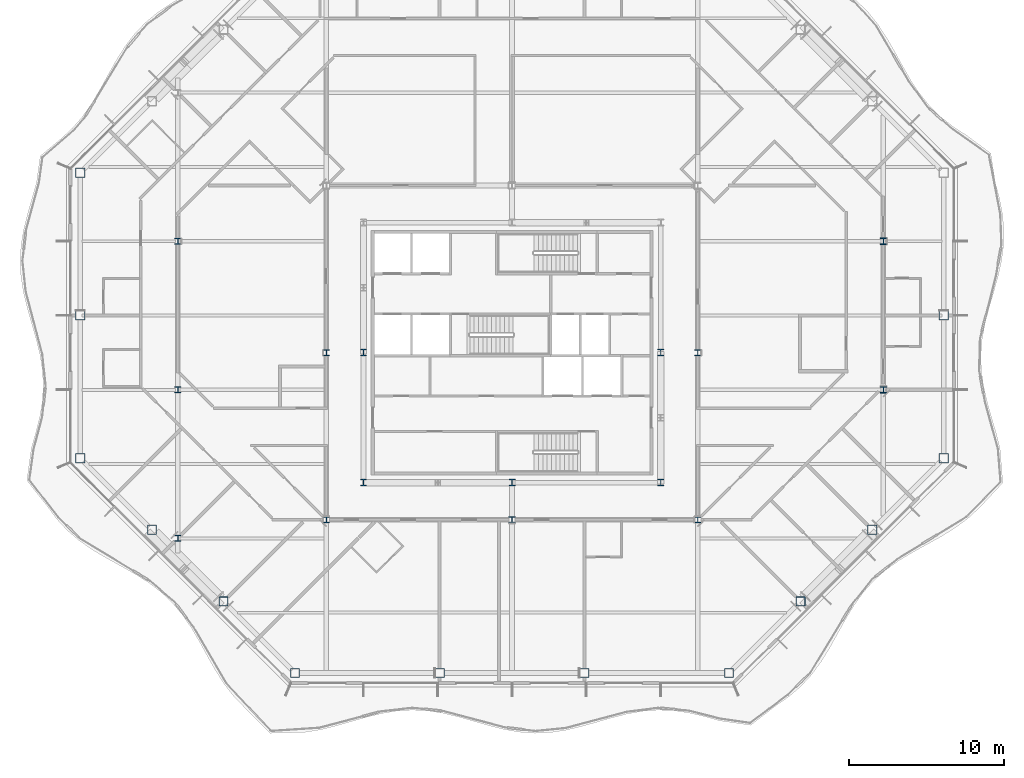
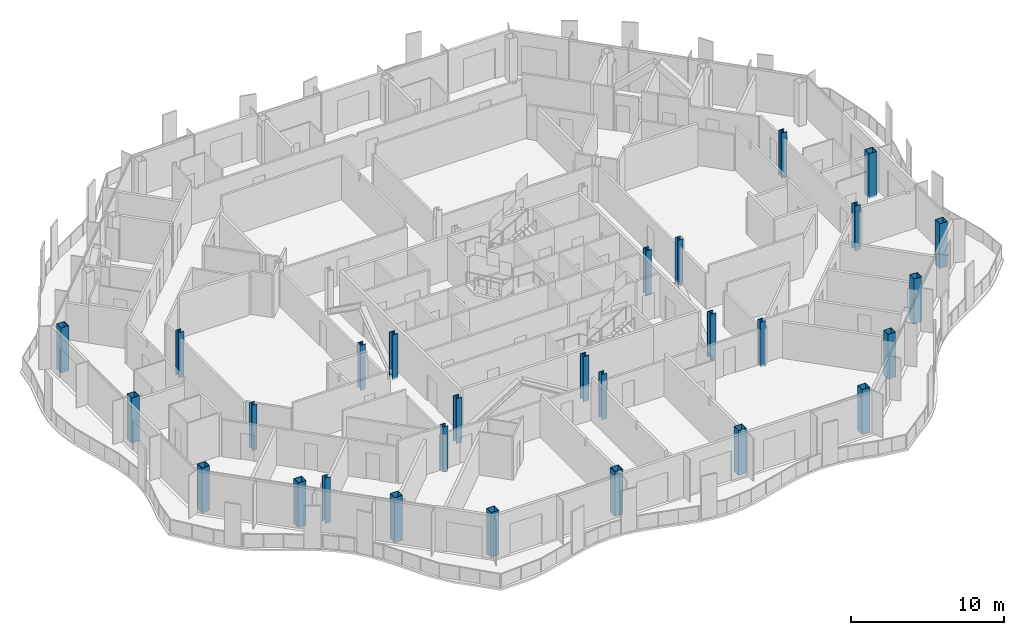
# One storey, part 1 of 21: 28 columns.
"""IFC4 building model written with IfcOpenShell, lengths in metres."""

from ifc_helpers import new_model, si_unit, direction, frame, origin, origin_2d, place, context, subcontext, project, spatial, hollow_rectangle, i_section, extrude, clip, halfspace, material, material_profile, profile_set, type_object, element, save


model = new_model("IFC4")

# Units and contexts
model_context = context("Model", 3, precision=1e-05, world=origin(), true_north=direction((0.0, 1.0)))
body_context = subcontext(model_context, "Body", "Model", "MODEL_VIEW")
ifc_project = project(units=[si_unit("LENGTHUNIT", "METRE"), si_unit("AREAUNIT", "SQUARE_METRE"), si_unit("VOLUMEUNIT", "CUBIC_METRE"), si_unit("PLANEANGLEUNIT", "RADIAN"), si_unit("MASSUNIT", "GRAM", prefix="KILO")], contexts=[model_context])

# Site, building, storey
site_placement = place(None, origin())
site = spatial("IfcSite", under=ifc_project, at=site_placement, CompositionType="ELEMENT")
building_placement = place(site_placement, origin())
building = spatial("IfcBuilding", under=site, at=building_placement, Name="Cairn Pilgrim Tower", CompositionType="ELEMENT")
storey_placement = place(building_placement, frame((0.0, 0.0, 168.60009765625)))
storey = spatial("IfcBuildingStorey", under=building, at=storey_placement, Name="L42", CompositionType="ELEMENT", Elevation=168.60009765625)

# Columns
ifc_material_1 = material(Name="Structural steel S460M", Category="steel")
ifc_material_profile_1 = material_profile(ifc_material_1, hollow_rectangle(XDim=0.60009765625, YDim=0.60009765625, WallThickness=0.034912109375, at=origin_2d()), Name="BOX 600x600x35")
ifc_profile_set_1 = profile_set([ifc_material_profile_1], Name="Structural steel S460M")
column_type_1 = type_object("IfcColumnType", Name="BOX 600x600x35", PredefinedType="COLUMN", material=ifc_profile_set_1)
for number, where, z_axis, x_axis, name in (
    (1, (-6.8271484375, -18.300048828125, -0.150146484375), (0.0, 0.0, 1.0), (1.0, 0.0, 0.0), "PC2-S1"),
    (2, (2.5244140625, -18.300048828125, -0.150146484375), (0.0, 0.0, 1.0), (1.0, 0.0, 0.0), "PC2-S2"),
    (3, (11.875732421875, -18.300048828125, -0.150146484375), (0.0, 0.0, 1.0), (1.0, 0.0, 0.0), "PC2-S3"),
    (4, (21.227294921875, -18.300048828125, -0.150146484375), (0.0, 0.0, 1.0), (1.0, 0.0, 0.0), "PC2-SE1"),
    (5, (25.8515625, -13.67578125, -0.150146484375), (0.0, 0.0, 1.0), (1.0, 0.0, 0.0), "PC2-SE2"),
    (6, (30.4755859375, -9.051513671875, -0.150146484375), (0.0, 0.0, 1.0), (1.0, 0.0, 0.0), "PC2-SE3"),
    (7, (35.10009765625, -4.42724609375, -0.150146484375), (0.0, 0.0, 1.0), (1.0, 0.0, 0.0), "PC2-E1"),
    (8, (35.10009765625, 4.800048828125, -0.150146484375), (0.0, 0.0, 1.0), (1.0, 0.0, 0.0), "PC2-E2"),
    (9, (-20.699951171875, 14.027099609375, -0.150146484375), (0.0, 0.0, 1.0), (1.0, 0.0, 0.0), "PC2-W1"),
    (10, (-20.699951171875, 4.800048828125, -0.150146484375), (0.0, 0.0, 1.0), (1.0, 0.0, 0.0), "PC2-W2"),
    (11, (-20.699951171875, -4.42724609375, -0.150146484375), (0.0, 0.0, 1.0), (1.0, 0.0, 0.0), "PC2-SW1"),
    (12, (-16.07568359375, -9.051513671875, -0.150146484375), (0.0, 0.0, 1.0), (1.0, 0.0, 0.0), "PC2-SW2"),
    (13, (-11.451416015625, -13.67578125, -0.150146484375), (0.0, 0.0, 1.0), (1.0, 0.0, 0.0), "PC2-SW3"),
):
    element("IfcColumn", number, at=place(storey_placement, frame(where, z_axis=z_axis, x_axis=x_axis)), inside=storey, type_object=column_type_1, Name=name, PredefinedType="COLUMN", context=body_context, shape_type="Clipping", body=[
        clip(extrude(hollow_rectangle(XDim=0.60009765625, YDim=0.60009765625, WallThickness=0.034912109375, at=origin_2d()), origin(), (0.0, 0.0, 1.0), 3.60009765625), halfspace(frame((0.0, 0.0, 3.5888671875), z_axis=(0.0, 0.0, 1.0), x_axis=(1.0, 0.0, 0.0)), False)),
    ])
ifc_material_2 = material(Name="Structural steel S355J2", Category="steel")
ifc_material_profile_2 = material_profile(ifc_material_2, i_section(OverallWidth=0.39892578125, OverallDepth=0.39306640625, WebThickness=0.022705078125, FlangeThickness=0.03662109375, FilletRadius=0.014892578125, at=origin_2d()), Name="HD 400x287")
ifc_profile_set_2 = profile_set([ifc_material_profile_2], Name="Structural steel S355J2")
column_type_2 = type_object("IfcColumnType", Name="HD 400x287", PredefinedType="COLUMN", material=ifc_profile_set_2)
for number, where, z_axis, x_axis, name in (
    (14, (-4.800048828125, -8.39990234375, -0.150146484375), (0.0, 0.0, 1.0), (1.0, 0.0, 0.0), "IC-1"),
    (15, (7.199951171875, -8.39990234375, -0.150146484375), (0.0, 0.0, 1.0), (1.0, 0.0, 0.0), "IC-2"),
    (16, (19.199951171875, -8.39990234375, -0.150146484375), (0.0, 0.0, 1.0), (1.0, 0.0, 0.0), "IC-3"),
    (17, (-4.800048828125, 2.39990234375, -0.150146484375), (0.0, 0.0, 1.0), (1.0, 0.0, 0.0), "IC-4"),
    (18, (19.199951171875, 2.39990234375, -0.150146484375), (0.0, 0.0, 1.0), (1.0, 0.0, 0.0), "IC-5"),
    (19, (-14.39990234375, -9.60009765625, -0.150146484375), (0.0, 0.0, 1.0), (1.0, 0.0, 0.0), "WC-WW-2"),
    (20, (-14.39990234375, 0.0, -0.150146484375), (0.0, 0.0, 1.0), (1.0, 0.0, 0.0), "WC-WW+0"),
    (21, (-14.39990234375, 9.60009765625, -0.150146484375), (0.0, 0.0, 1.0), (1.0, 0.0, 0.0), "WC-WW+2"),
):
    element("IfcColumn", number, at=place(storey_placement, frame(where, z_axis=z_axis, x_axis=x_axis)), inside=storey, type_object=column_type_2, Name=name, PredefinedType="COLUMN", context=body_context, shape_type="SweptSolid", body=[
        extrude(i_section(OverallWidth=0.39892578125, OverallDepth=0.39306640625, WebThickness=0.022705078125, FlangeThickness=0.03662109375, FilletRadius=0.014892578125, at=origin_2d()), origin(), (0.0, 0.0, 1.0), 3.60009765625),
    ])
ifc_material_profile_3 = material_profile(ifc_material_1, i_section(OverallWidth=0.408935546875, OverallDepth=0.425048828125, WebThickness=0.03271484375, FlangeThickness=0.052490234375, FilletRadius=0.014892578125, at=origin_2d()), Name="HD 400x421")
ifc_profile_set_3 = profile_set([ifc_material_profile_3], Name="Structural steel S460M")
column_type_3 = type_object("IfcColumnType", Name="HD 400x421", PredefinedType="COLUMN", material=ifc_profile_set_3)
for number, where, z_axis, x_axis, name in (
    (22, (31.199951171875, 0.0, -0.150146484375), (0.0, 0.0, 1.0), (1.0, 0.0, 0.0), "WC-WE+0"),
    (23, (31.199951171875, 9.60009765625, -0.150146484375), (0.0, 0.0, 1.0), (1.0, 0.0, 0.0), "WC-WE+2"),
):
    element("IfcColumn", number, at=place(storey_placement, frame(where, z_axis=z_axis, x_axis=x_axis)), inside=storey, type_object=column_type_3, Name=name, PredefinedType="COLUMN", context=body_context, shape_type="SweptSolid", body=[
        extrude(i_section(OverallWidth=0.408935546875, OverallDepth=0.425048828125, WebThickness=0.03271484375, FlangeThickness=0.052490234375, FilletRadius=0.014892578125, at=origin_2d()), origin(), (0.0, 0.0, 1.0), 3.60009765625),
    ])
ifc_material_profile_4 = material_profile(ifc_material_1, i_section(OverallWidth=0.416015625, OverallDepth=0.446044921875, WebThickness=0.0390625, FlangeThickness=0.062744140625, FilletRadius=0.014892578125, at=origin_2d()), Name="HD 400x509")
ifc_profile_set_4 = profile_set([ifc_material_profile_4], Name="Structural steel S460M")
column_type_4 = type_object("IfcColumnType", Name="HD 400x509", PredefinedType="COLUMN", material=ifc_profile_set_4)
for number, where, z_axis, x_axis, name in (
    (24, (-2.39990234375, -6.0, -0.150146484375), (0.0, 0.0, 1.0), (1.0, 0.0, 0.0), "KC-1"),
    (25, (7.199951171875, -6.0, -0.150146484375), (0.0, 0.0, 1.0), (1.0, 0.0, 0.0), "KC-2"),
    (26, (16.800048828125, -6.0, -0.150146484375), (0.0, 0.0, 1.0), (1.0, 0.0, 0.0), "KC-3"),
    (27, (-2.39990234375, 2.39990234375, -0.150146484375), (0.0, 0.0, 1.0), (1.0, 0.0, 0.0), "KC-4"),
    (28, (16.800048828125, 2.39990234375, -0.150146484375), (0.0, 0.0, 1.0), (1.0, 0.0, 0.0), "KC-5"),
):
    element("IfcColumn", number, at=place(storey_placement, frame(where, z_axis=z_axis, x_axis=x_axis)), inside=storey, type_object=column_type_4, Name=name, PredefinedType="COLUMN", context=body_context, shape_type="SweptSolid", body=[
        extrude(i_section(OverallWidth=0.416015625, OverallDepth=0.446044921875, WebThickness=0.0390625, FlangeThickness=0.062744140625, FilletRadius=0.014892578125, at=origin_2d()), origin(), (0.0, 0.0, 1.0), 3.60009765625),
    ])

save(model, "model.ifc")
